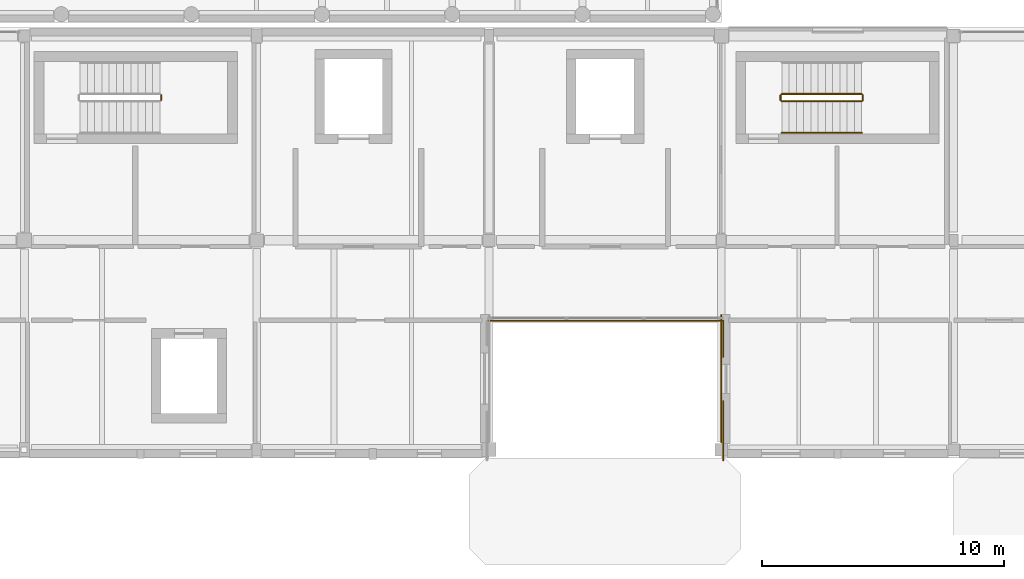
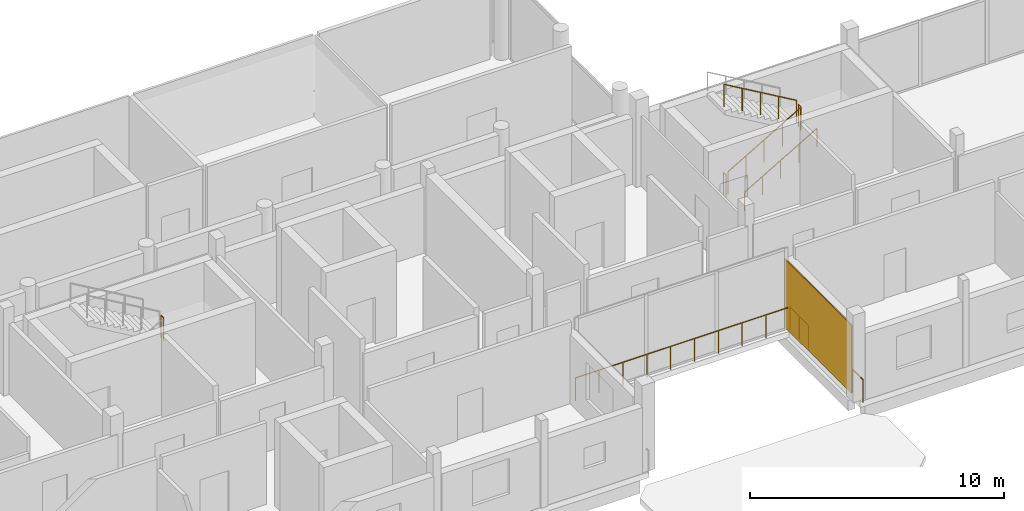
# One storey, part 57 of 66: 9 railings, 1 covering.
"""IFC4 building model written with IfcOpenShell, lengths in metres."""

from ifc_helpers import new_model, si_unit, direction, frame, origin, origin_2d, place, context, subcontext, project, spatial, rectangle, circle, extrude, material, layer, layer_set, type_object, element, save


model = new_model("IFC4")

# Units and contexts
model_context = context("Model", 3, precision=1e-05, world=origin(), true_north=direction((0.0, 1.0)))
body_context = subcontext(model_context, "Body", "Model", "MODEL_VIEW")
ifc_project = project(units=[si_unit("LENGTHUNIT", "METRE"), si_unit("AREAUNIT", "SQUARE_METRE"), si_unit("VOLUMEUNIT", "CUBIC_METRE"), si_unit("PLANEANGLEUNIT", "RADIAN"), si_unit("MASSUNIT", "GRAM", prefix="KILO")], contexts=[model_context])

# Site, building, storey
site_placement = place(None, origin())
site = spatial("IfcSite", under=ifc_project, at=site_placement, CompositionType="ELEMENT")
building_placement = place(site_placement, origin())
building = spatial("IfcBuilding", under=site, at=building_placement, Name="Birchvale Park Specialist Clinic", CompositionType="ELEMENT")
storey_placement = place(building_placement, frame((0.0, 0.0, 5.39990234375)))
storey = spatial("IfcBuildingStorey", under=building, at=storey_placement, Name="L01", CompositionType="ELEMENT", Elevation=5.39990234375)

# Covering
ifc_material_1 = material(Name="Nordic larch vertical rainscreen cladding")
ifc_layer = layer(ifc_material_1, 0.044921875)
ifc_layer_set = layer_set([ifc_layer], Name="Nordic larch vertical rainscreen cladding")
covering_type = type_object("IfcCoveringType", Name="COV-CL1", PredefinedType="CLADDING", material=ifc_layer_set)
covering_placement = place(storey_placement, frame((90.197509765625, 20.074951171875, 0.02001953125), z_axis=(0.0, 0.0, 1.0), x_axis=(0.0, -1.0, 0.0)))
element("IfcCovering", 1, at=covering_placement, inside=storey, type_object=covering_type, Name="V4 L01 Nordic larch cladding 10", PredefinedType="CLADDING", context=body_context, shape_type="SweptSolid", body=[
    extrude(rectangle(XDim=5.2900390625, YDim=0.044921875, at=origin_2d()), origin(), (0.0, 0.0, 1.0), 3.294921875),
])

# Railings
ifc_material_2 = material(Name="Brushed stainless steel and laminated glass balustrade", Category="steel")
railing_type_1 = type_object("IfcRailingType", Name="RL-BAL1", PredefinedType="BALUSTRADE", material=ifc_material_2)
railing_1_placement = place(storey_placement, frame((90.280029296875, 16.719970703125, 0.0)))
element("IfcRailing", 2, at=railing_1_placement, inside=storey, type_object=railing_type_1, Name="V4 L01 atrium void balustrade 9", PredefinedType="BALUSTRADE", context=body_context, shape_type="SweptSolid", body=[
    extrude(circle(Radius=0.02392578125, at=origin_2d()), frame((0.0, 0.0, 1.09619140625), z_axis=(0.0, 1.0, 0.0), x_axis=(-1.0, 0.0, 0.0)), (0.0, 0.0, 1.0), 2.43505859375),
    extrude(circle(Radius=0.02099609375, at=origin_2d()), origin(), (0.0, 0.0, 1.0), 1.072021484375),
    extrude(circle(Radius=0.02099609375, at=origin_2d()), frame((0.0, 0.811767578125, 0.0)), (0.0, 0.0, 1.0), 1.072021484375),
    extrude(circle(Radius=0.02099609375, at=origin_2d()), frame((0.0, 1.623291015625, 0.0)), (0.0, 0.0, 1.0), 1.072021484375),
    extrude(circle(Radius=0.02099609375, at=origin_2d()), frame((0.0, 2.43505859375, 0.0)), (0.0, 0.0, 1.0), 1.072021484375),
])
railing_2_placement = place(storey_placement, frame((90.280029296875, 20.9951171875, 0.0)))
element("IfcRailing", 3, at=railing_2_placement, inside=storey, type_object=railing_type_1, Name="V4 L01 atrium void balustrade 10", PredefinedType="BALUSTRADE", context=body_context, shape_type="SweptSolid", body=[
    extrude(circle(Radius=0.02392578125, at=origin_2d()), frame((0.0, 0.0, 1.09619140625), z_axis=(0.0, 1.0, 0.0), x_axis=(-1.0, 0.0, 0.0)), (0.0, 0.0, 1.0), 1.48486328125),
    extrude(circle(Radius=0.02099609375, at=origin_2d()), origin(), (0.0, 0.0, 1.0), 1.072021484375),
    extrude(circle(Radius=0.02099609375, at=origin_2d()), frame((0.0, 0.742431640625, 0.0)), (0.0, 0.0, 1.0), 1.072021484375),
    extrude(circle(Radius=0.02099609375, at=origin_2d()), frame((0.0, 1.48486328125, 0.0)), (0.0, 0.0, 1.0), 1.072021484375),
])
railing_3_placement = place(storey_placement, frame((90.280029296875, 22.47998046875, 0.0)))
element("IfcRailing", 4, at=railing_3_placement, inside=storey, type_object=railing_type_1, Name="V4 L01 atrium void balustrade 11", PredefinedType="BALUSTRADE", context=body_context, shape_type="SweptSolid", body=[
    extrude(circle(Radius=0.02392578125, at=origin_2d()), frame((0.0, 0.0, 1.09619140625), z_axis=(-1.0, 0.0, 0.0), x_axis=(0.0, -1.0, 0.0)), (0.0, 0.0, 1.0), 9.760009765625),
    extrude(circle(Radius=0.02099609375, at=origin_2d()), origin(), (0.0, 0.0, 1.0), 1.072021484375),
    extrude(circle(Radius=0.02099609375, at=origin_2d()), frame((-1.08447265625, 0.0, 0.0)), (0.0, 0.0, 1.0), 1.072021484375),
    extrude(circle(Radius=0.02099609375, at=origin_2d()), frame((-2.1689453125, 0.0, 0.0)), (0.0, 0.0, 1.0), 1.072021484375),
    extrude(circle(Radius=0.02099609375, at=origin_2d()), frame((-3.25341796875, 0.0, 0.0)), (0.0, 0.0, 1.0), 1.072021484375),
    extrude(circle(Radius=0.02099609375, at=origin_2d()), frame((-4.337890625, 0.0, 0.0)), (0.0, 0.0, 1.0), 1.072021484375),
    extrude(circle(Radius=0.02099609375, at=origin_2d()), frame((-5.422119140625, 0.0, 0.0)), (0.0, 0.0, 1.0), 1.072021484375),
    extrude(circle(Radius=0.02099609375, at=origin_2d()), frame((-6.506591796875, 0.0, 0.0)), (0.0, 0.0, 1.0), 1.072021484375),
    extrude(circle(Radius=0.02099609375, at=origin_2d()), frame((-7.591064453125, 0.0, 0.0)), (0.0, 0.0, 1.0), 1.072021484375),
    extrude(circle(Radius=0.02099609375, at=origin_2d()), frame((-8.675537109375, 0.0, 0.0)), (0.0, 0.0, 1.0), 1.072021484375),
    extrude(circle(Radius=0.02099609375, at=origin_2d()), frame((-9.760009765625, 0.0, 0.0)), (0.0, 0.0, 1.0), 1.072021484375),
])
ifc_material_3 = material(Name="Brushed stainless steel guard railing", Category="steel")
railing_type_2 = type_object("IfcRailingType", Name="RL-GRD1", PredefinedType="GUARDRAIL", material=ifc_material_3)
railing_4_placement = place(storey_placement, frame((67.050048828125, 31.60009765625, 2.10009765625)))
element("IfcRailing", 5, at=railing_4_placement, inside=storey, type_object=railing_type_2, Name="L01 ST4 stair guard 2", PredefinedType="GUARDRAIL", context=body_context, shape_type="SweptSolid", body=[
    extrude(circle(Radius=0.02392578125, at=origin_2d()), frame((0.0, 0.0, 1.076171875), z_axis=(0.0, 1.0, 0.0), x_axis=(-1.0, 0.0, 0.0)), (0.0, 0.0, 1.0), 0.199951171875),
    extrude(circle(Radius=0.02099609375, at=origin_2d()), origin(), (0.0, 0.0, 1.0), 1.052001953125),
    extrude(circle(Radius=0.02099609375, at=origin_2d()), frame((0.0, 0.199951171875, 0.0)), (0.0, 0.0, 1.0), 1.052001953125),
])
railing_5_placement = place(storey_placement, frame((92.699951171875, 31.550048828125, 0.175048828125)))
element("IfcRailing", 6, at=railing_5_placement, inside=storey, type_object=railing_type_2, Name="L01 ST5 stair guard 1", PredefinedType="GUARDRAIL", context=body_context, shape_type="SweptSolid", body=[
    extrude(circle(Radius=0.02392578125, at=origin_2d()), frame((0.0, 0.0, 1.076171875), z_axis=(0.863776583165, 0.0, 0.503874998761), x_axis=(0.0, 1.0, 0.0)), (0.0, 0.0, 1.0), 3.820556640625),
    extrude(circle(Radius=0.02099609375, at=origin_2d()), origin(), (0.0, 0.0, 1.0), 1.052001953125),
    extrude(circle(Radius=0.02099609375, at=origin_2d()), frame((0.824951171875, 0.0, 0.481201171875)), (0.0, 0.0, 1.0), 1.052001953125),
    extrude(circle(Radius=0.02099609375, at=origin_2d()), frame((1.64990234375, 0.0, 0.96240234375)), (0.0, 0.0, 1.0), 1.052001953125),
    extrude(circle(Radius=0.02099609375, at=origin_2d()), frame((2.47509765625, 0.0, 1.44384765625)), (0.0, 0.0, 1.0), 1.052001953125),
    extrude(circle(Radius=0.02099609375, at=origin_2d()), frame((3.300048828125, 0.0, 1.925048828125)), (0.0, 0.0, 1.0), 1.052001953125),
])
railing_6_placement = place(storey_placement, frame((96.050048828125, 31.60009765625, 2.10009765625)))
element("IfcRailing", 7, at=railing_6_placement, inside=storey, type_object=railing_type_2, Name="L01 ST5 stair guard 2", PredefinedType="GUARDRAIL", context=body_context, shape_type="SweptSolid", body=[
    extrude(circle(Radius=0.02392578125, at=origin_2d()), frame((0.0, 0.0, 1.076171875), z_axis=(0.0, 1.0, 0.0), x_axis=(-1.0, 0.0, 0.0)), (0.0, 0.0, 1.0), 0.199951171875),
    extrude(circle(Radius=0.02099609375, at=origin_2d()), origin(), (0.0, 0.0, 1.0), 1.052001953125),
    extrude(circle(Radius=0.02099609375, at=origin_2d()), frame((0.0, 0.199951171875, 0.0)), (0.0, 0.0, 1.0), 1.052001953125),
])
railing_7_placement = place(storey_placement, frame((96.0, 31.85009765625, 2.275146484375)))
element("IfcRailing", 8, at=railing_7_placement, inside=storey, type_object=railing_type_2, Name="L01 ST5 stair guard 3", PredefinedType="GUARDRAIL", context=body_context, shape_type="SweptSolid", body=[
    extrude(circle(Radius=0.02392578125, at=origin_2d()), frame((0.0, 0.0, 1.076171875), z_axis=(-0.863776583165, 0.0, 0.503874998761), x_axis=(0.0, -1.0, 0.0)), (0.0, 0.0, 1.0), 3.820556640625),
    extrude(circle(Radius=0.02099609375, at=origin_2d()), origin(), (0.0, 0.0, 1.0), 1.052001953125),
    extrude(circle(Radius=0.02099609375, at=origin_2d()), frame((-0.824951171875, 0.0, 0.481201171875)), (0.0, 0.0, 1.0), 1.052001953125),
    extrude(circle(Radius=0.02099609375, at=origin_2d()), frame((-1.64990234375, 0.0, 0.96240234375)), (0.0, 0.0, 1.0), 1.052001953125),
    extrude(circle(Radius=0.02099609375, at=origin_2d()), frame((-2.47509765625, 0.0, 1.44384765625)), (0.0, 0.0, 1.0), 1.052001953125),
    extrude(circle(Radius=0.02099609375, at=origin_2d()), frame((-3.300048828125, 0.0, 1.925048828125)), (0.0, 0.0, 1.0), 1.052001953125),
])
railing_8_placement = place(storey_placement, frame((92.64990234375, 31.60009765625, 0.0)))
element("IfcRailing", 9, at=railing_8_placement, inside=storey, type_object=railing_type_2, Name="L01 ST5 stair guard 4", PredefinedType="GUARDRAIL", context=body_context, shape_type="SweptSolid", body=[
    extrude(circle(Radius=0.02392578125, at=origin_2d()), frame((0.0, 0.0, 1.076171875), z_axis=(0.0, 1.0, 0.0), x_axis=(-1.0, 0.0, 0.0)), (0.0, 0.0, 1.0), 0.199951171875),
    extrude(circle(Radius=0.02099609375, at=origin_2d()), origin(), (0.0, 0.0, 1.0), 1.052001953125),
    extrude(circle(Radius=0.02099609375, at=origin_2d()), frame((0.0, 0.199951171875, 0.0)), (0.0, 0.0, 1.0), 1.052001953125),
])
ifc_material_4 = material(Name="Anodised aluminium handrail", Category="aluminium")
railing_type_3 = type_object("IfcRailingType", Name="RL-HND1", PredefinedType="HANDRAIL", material=ifc_material_4)
railing_9_placement = place(storey_placement, frame((92.699951171875, 30.25, 0.175048828125)))
element("IfcRailing", 10, at=railing_9_placement, inside=storey, type_object=railing_type_3, Name="L01 ST5 stair handrail 1", PredefinedType="HANDRAIL", context=body_context, shape_type="SweptSolid", body=[
    extrude(circle(Radius=0.02392578125, at=origin_2d()), frame((0.0, 0.0, 0.8759765625), z_axis=(0.863776583165, 0.0, 0.503874998761), x_axis=(0.0, 1.0, 0.0)), (0.0, 0.0, 1.0), 3.820556640625),
    extrude(circle(Radius=0.02099609375, at=origin_2d()), origin(), (0.0, 0.0, 1.0), 0.851806640625),
    extrude(circle(Radius=0.02099609375, at=origin_2d()), frame((0.824951171875, 0.0, 0.481201171875)), (0.0, 0.0, 1.0), 0.851806640625),
    extrude(circle(Radius=0.02099609375, at=origin_2d()), frame((1.64990234375, 0.0, 0.96240234375)), (0.0, 0.0, 1.0), 0.851806640625),
    extrude(circle(Radius=0.02099609375, at=origin_2d()), frame((2.47509765625, 0.0, 1.44384765625)), (0.0, 0.0, 1.0), 0.851806640625),
    extrude(circle(Radius=0.02099609375, at=origin_2d()), frame((3.300048828125, 0.0, 1.925048828125)), (0.0, 0.0, 1.0), 0.851806640625),
])

save(model, "model.ifc")
